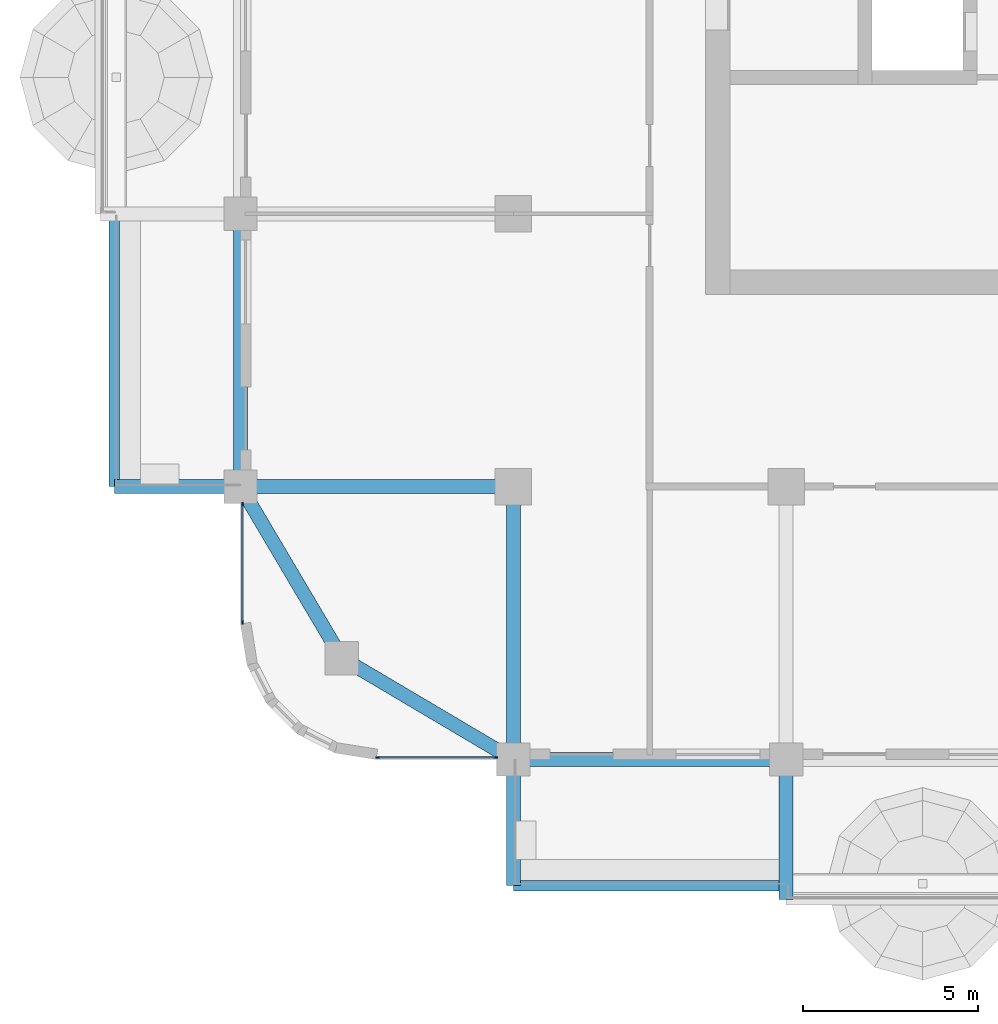
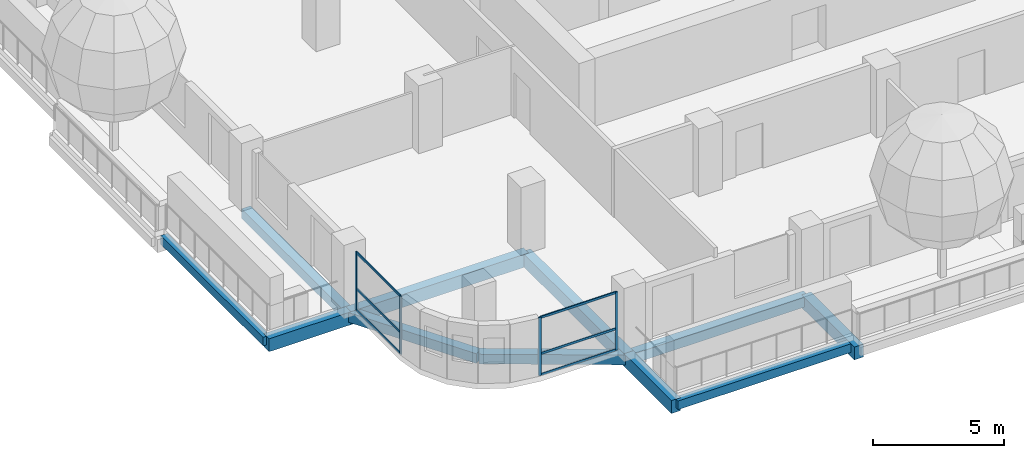
# One storey, part 2 of 21: 11 beams, 10 members, 2 elements without a shape of their own.
"""IFC4 building model written with IfcOpenShell, lengths in metres."""

from ifc_helpers import new_model, si_unit, direction, frame, origin, origin_2d, place, context, subcontext, project, spatial, rectangle, extrude, material, material_profile, profile_set, type_object, element, aggregate, save


model = new_model("IFC4")

# Units and contexts
model_context = context("Model", 3, precision=1e-05, world=origin(), true_north=direction((0.0, 1.0)))
body_context = subcontext(model_context, "Body", "Model", "MODEL_VIEW")
ifc_project = project(units=[si_unit("LENGTHUNIT", "METRE"), si_unit("AREAUNIT", "SQUARE_METRE"), si_unit("VOLUMEUNIT", "CUBIC_METRE"), si_unit("PLANEANGLEUNIT", "RADIAN"), si_unit("MASSUNIT", "GRAM", prefix="KILO")], contexts=[model_context])

# Site, building, storey
site_placement = place(None, origin())
site = spatial("IfcSite", under=ifc_project, at=site_placement, CompositionType="ELEMENT")
building_placement = place(site_placement, origin())
building = spatial("IfcBuilding", under=site, at=building_placement, Name="Ludao Terraces", CompositionType="ELEMENT")
storey_placement = place(building_placement, frame((0.0, 0.0, 71.60009765625)))
storey = spatial("IfcBuildingStorey", under=building, at=storey_placement, Name="L19", CompositionType="ELEMENT", Elevation=71.60009765625)

# Curtain wall, members
ifc_material_1 = material(Name="Aluminium curtain wall with fritted glass", Category="aluminium")
curtain_wall_type = type_object("IfcCurtainWallType", Name="ENV CW3 community glazing", PredefinedType="NOTDEFINED", material=ifc_material_1)
curtain_wall_1_placement = place(storey_placement, origin())
curtain_wall_1 = element("IfcCurtainWall", 1, at=curtain_wall_1_placement, inside=storey, type_object=curtain_wall_type, Name="Community floor glazing L19 S1", PredefinedType="NOTDEFINED")
ifc_material_2 = material(Name="Aluminium 6063-T6", Category="aluminium")
ifc_material_profile_1 = material_profile(ifc_material_2, rectangle(XDim=0.050048828125, YDim=0.1201171875, at=origin_2d()), Name="50 X 120")
ifc_profile_set_1 = profile_set([ifc_material_profile_1], Name="Aluminium 6063-T6")
member_type_1 = type_object("IfcMemberType", Name="ENV CW3 mullion 50x120", PredefinedType="MULLION", material=ifc_profile_set_1)
member_1_placement = place(storey_placement, frame((65.52490234375, 41.659912109375, 0.0), z_axis=(0.0, 0.0, 1.0), x_axis=(0.0, 1.0, 0.0)))
member_1 = element("IfcMember", 2, at=member_1_placement, type_object=member_type_1, Name="CW3 mullion 1", PredefinedType="MULLION", context=body_context, shape_type="SweptSolid", body=[
    extrude(rectangle(XDim=0.050048828125, YDim=0.1201171875, at=origin_2d()), origin(), (0.0, 0.0, 1.0), 2.699951171875),
])
member_2_placement = place(storey_placement, frame((68.89990234375, 41.659912109375, 0.0), z_axis=(0.0, 0.0, 1.0), x_axis=(0.0, 1.0, 0.0)))
member_2 = element("IfcMember", 3, at=member_2_placement, type_object=member_type_1, Name="CW3 mullion 2", PredefinedType="MULLION", context=body_context, shape_type="SweptSolid", body=[
    extrude(rectangle(XDim=0.050048828125, YDim=0.1201171875, at=origin_2d()), origin(), (0.0, 0.0, 1.0), 2.699951171875),
])

curtain_wall_2_placement = place(storey_placement, origin())
curtain_wall_2 = element("IfcCurtainWall", 4, at=curtain_wall_2_placement, inside=storey, type_object=curtain_wall_type, Name="Community floor glazing L19 W1", PredefinedType="NOTDEFINED")
member_3_placement = place(storey_placement, frame((61.659912109375, 45.52490234375, 0.0), z_axis=(0.0, 0.0, 1.0), x_axis=(-1.0, 0.0, 0.0)))
member_3 = element("IfcMember", 5, at=member_3_placement, type_object=member_type_1, Name="CW3 mullion 1", PredefinedType="MULLION", context=body_context, shape_type="SweptSolid", body=[
    extrude(rectangle(XDim=0.050048828125, YDim=0.1201171875, at=origin_2d()), origin(), (0.0, 0.0, 1.0), 2.699951171875),
])
member_4_placement = place(storey_placement, frame((61.659912109375, 48.89990234375, 0.0), z_axis=(0.0, 0.0, 1.0), x_axis=(-1.0, 0.0, 0.0)))
member_4 = element("IfcMember", 6, at=member_4_placement, type_object=member_type_1, Name="CW3 mullion 2", PredefinedType="MULLION", context=body_context, shape_type="SweptSolid", body=[
    extrude(rectangle(XDim=0.050048828125, YDim=0.1201171875, at=origin_2d()), origin(), (0.0, 0.0, 1.0), 2.699951171875),
])

# Member
ifc_material_profile_2 = material_profile(ifc_material_2, rectangle(XDim=0.050048828125, YDim=0.10009765625, at=origin_2d()), Name="50 X 100")
ifc_profile_set_2 = profile_set([ifc_material_profile_2], Name="Aluminium 6063-T6")
member_type_2 = type_object("IfcMemberType", Name="ENV CW3 transom 50x100", PredefinedType="USERDEFINED", material=ifc_profile_set_2)
member_5_placement = place(storey_placement, frame((65.550048828125, 41.659912109375, 0.02490234375), z_axis=(1.0, 0.0, 0.0), x_axis=(0.0, 1.0, 0.0)))
member_5 = element("IfcMember", 7, at=member_5_placement, type_object=member_type_2, Name="CW3 transom 1.1", ObjectType="TRANSOM", PredefinedType="USERDEFINED", context=body_context, shape_type="SweptSolid", body=[
    extrude(rectangle(XDim=0.050048828125, YDim=0.10009765625, at=origin_2d()), origin(), (0.0, 0.0, 1.0), 3.324951171875),
])

member_6_placement = place(storey_placement, frame((65.550048828125, 41.659912109375, 1.0), z_axis=(1.0, 0.0, 0.0), x_axis=(0.0, 1.0, 0.0)))
member_6 = element("IfcMember", 8, at=member_6_placement, type_object=member_type_2, Name="CW3 transom 1.2", ObjectType="TRANSOM", PredefinedType="USERDEFINED", context=body_context, shape_type="SweptSolid", body=[
    extrude(rectangle(XDim=0.050048828125, YDim=0.10009765625, at=origin_2d()), origin(), (0.0, 0.0, 1.0), 3.324951171875),
])

member_7_placement = place(storey_placement, frame((65.550048828125, 41.659912109375, 2.6748046875), z_axis=(1.0, 0.0, 0.0), x_axis=(0.0, 1.0, 0.0)))
member_7 = element("IfcMember", 9, at=member_7_placement, type_object=member_type_2, Name="CW3 transom 1.3", ObjectType="TRANSOM", PredefinedType="USERDEFINED", context=body_context, shape_type="SweptSolid", body=[
    extrude(rectangle(XDim=0.050048828125, YDim=0.10009765625, at=origin_2d()), origin(), (0.0, 0.0, 1.0), 3.324951171875),
])

aggregate(curtain_wall_1, [member_1, member_2, member_5, member_6, member_7])

member_8_placement = place(storey_placement, frame((61.659912109375, 45.550048828125, 0.02490234375), z_axis=(0.0, 1.0, 0.0), x_axis=(-1.0, 0.0, 0.0)))
member_8 = element("IfcMember", 10, at=member_8_placement, type_object=member_type_2, Name="CW3 transom 1.1", ObjectType="TRANSOM", PredefinedType="USERDEFINED", context=body_context, shape_type="SweptSolid", body=[
    extrude(rectangle(XDim=0.050048828125, YDim=0.10009765625, at=origin_2d()), origin(), (0.0, 0.0, 1.0), 3.324951171875),
])

member_9_placement = place(storey_placement, frame((61.659912109375, 45.550048828125, 1.0), z_axis=(0.0, 1.0, 0.0), x_axis=(-1.0, 0.0, 0.0)))
member_9 = element("IfcMember", 11, at=member_9_placement, type_object=member_type_2, Name="CW3 transom 1.2", ObjectType="TRANSOM", PredefinedType="USERDEFINED", context=body_context, shape_type="SweptSolid", body=[
    extrude(rectangle(XDim=0.050048828125, YDim=0.10009765625, at=origin_2d()), origin(), (0.0, 0.0, 1.0), 3.324951171875),
])

member_10_placement = place(storey_placement, frame((61.659912109375, 45.550048828125, 2.6748046875), z_axis=(0.0, 1.0, 0.0), x_axis=(-1.0, 0.0, 0.0)))
member_10 = element("IfcMember", 12, at=member_10_placement, type_object=member_type_2, Name="CW3 transom 1.3", ObjectType="TRANSOM", PredefinedType="USERDEFINED", context=body_context, shape_type="SweptSolid", body=[
    extrude(rectangle(XDim=0.050048828125, YDim=0.10009765625, at=origin_2d()), origin(), (0.0, 0.0, 1.0), 3.324951171875),
])

aggregate(curtain_wall_2, [member_3, member_4, member_8, member_9, member_10])

# Beams
ifc_material_3 = material(Name="Concrete C40", Category="concrete")
ifc_material_profile_3 = material_profile(ifc_material_3, rectangle(XDim=0.300048828125, YDim=0.39990234375, at=origin_2d()), Name="300 X 400")
ifc_profile_set_3 = profile_set([ifc_material_profile_3], Name="Concrete C40")
beam_type_1 = type_object("IfcBeamType", Name="RC beam 300x400 C40", PredefinedType="BEAM", material=ifc_profile_set_3)
for number, where, z_axis, x_axis, name in (
    (13, (69.39990234375, 38.0, -0.4501953125), (1.0, 0.0, 0.0), (0.0, 1.0, 0.0), "Balcony edge beam L19 S1"),
    (14, (58.0, 49.39990234375, -0.4501953125), (0.0, 1.0, 0.0), (-1.0, 0.0, 0.0), "Balcony edge beam L19 W1"),
):
    element("IfcBeam", number, at=place(storey_placement, frame(where, z_axis=z_axis, x_axis=x_axis)), inside=storey, type_object=beam_type_1, Name=name, PredefinedType="BEAM", context=body_context, shape_type="SweptSolid", body=[
        extrude(rectangle(XDim=0.300048828125, YDim=0.39990234375, at=origin_2d()), origin(), (0.0, 0.0, 1.0), 7.800048828125),
    ])
ifc_material_profile_4 = material_profile(ifc_material_3, rectangle(XDim=0.39990234375, YDim=0.449951171875, at=origin_2d()), Name="400 X 450")
ifc_profile_set_4 = profile_set([ifc_material_profile_4], Name="Concrete C40")
beam_type_2 = type_object("IfcBeamType", Name="RC beam 400x450 C40", PredefinedType="BEAM", material=ifc_profile_set_4)
beam_1_placement = place(storey_placement, frame((64.5, 44.5, -0.47509765625), z_axis=(0.860579751256, -0.509315709288, 0.0), x_axis=(0.509315709288, 0.860579751256, 0.0)))
element("IfcBeam", 15, at=beam_1_placement, inside=storey, type_object=beam_type_2, Name="Spandrel beam L19 S1", PredefinedType="BEAM", context=body_context, shape_type="SweptSolid", body=[
    extrude(rectangle(XDim=0.39990234375, YDim=0.449951171875, at=origin_2d()), origin(), (0.0, 0.0, 1.0), 5.693603515625),
])
beam_2_placement = place(storey_placement, frame((69.39990234375, 41.60009765625, -0.47509765625), z_axis=(1.0, 0.0, 0.0), x_axis=(0.0, 1.0, 0.0)))
element("IfcBeam", 16, at=beam_2_placement, inside=storey, type_object=beam_type_2, Name="Spandrel beam L19 S2", PredefinedType="BEAM", context=body_context, shape_type="SweptSolid", body=[
    extrude(rectangle(XDim=0.39990234375, YDim=0.449951171875, at=origin_2d()), origin(), (0.0, 0.0, 1.0), 7.800048828125),
])
beam_3_placement = place(storey_placement, frame((64.5, 44.5, -0.47509765625), z_axis=(-0.509315709288, 0.860579751256, 0.0), x_axis=(-0.860579751256, -0.509315709288, 0.0)))
element("IfcBeam", 17, at=beam_3_placement, inside=storey, type_object=beam_type_2, Name="Spandrel beam L19 W13", PredefinedType="BEAM", context=body_context, shape_type="SweptSolid", body=[
    extrude(rectangle(XDim=0.39990234375, YDim=0.449951171875, at=origin_2d()), origin(), (0.0, 0.0, 1.0), 5.693603515625),
])
beam_4_placement = place(storey_placement, frame((61.60009765625, 49.39990234375, -0.47509765625), z_axis=(0.0, 1.0, 0.0), x_axis=(-1.0, 0.0, 0.0)))
element("IfcBeam", 18, at=beam_4_placement, inside=storey, type_object=beam_type_2, Name="Spandrel beam L19 W14", PredefinedType="BEAM", context=body_context, shape_type="SweptSolid", body=[
    extrude(rectangle(XDim=0.39990234375, YDim=0.449951171875, at=origin_2d()), origin(), (0.0, 0.0, 1.0), 7.800048828125),
])
ifc_material_profile_5 = material_profile(ifc_material_3, rectangle(XDim=0.39990234375, YDim=0.60009765625, at=origin_2d()), Name="400 X 600")
ifc_profile_set_5 = profile_set([ifc_material_profile_5], Name="Concrete C40")
beam_type_3 = type_object("IfcBeamType", Name="RC beam 400x600 C40", PredefinedType="BEAM", material=ifc_profile_set_5)
beam_5_placement = place(storey_placement, frame((69.39990234375, 49.39990234375, -0.550048828125), z_axis=(0.0, -1.0, 0.0), x_axis=(1.0, 0.0, 0.0)))
element("IfcBeam", 19, at=beam_5_placement, inside=storey, type_object=beam_type_3, Name="Balcony beam L19 S694", PredefinedType="BEAM", context=body_context, shape_type="SweptSolid", body=[
    extrude(rectangle(XDim=0.39990234375, YDim=0.60009765625, at=origin_2d()), origin(), (0.0, 0.0, 1.0), 7.7998046875),
])
beam_6_placement = place(storey_placement, frame((69.39990234375, 41.60009765625, -0.550048828125), z_axis=(0.0, -1.0, 0.0), x_axis=(1.0, 0.0, 0.0)))
element("IfcBeam", 20, at=beam_6_placement, inside=storey, type_object=beam_type_3, Name="Balcony beam L19 S694", PredefinedType="BEAM", context=body_context, shape_type="SweptSolid", body=[
    extrude(rectangle(XDim=0.39990234375, YDim=0.60009765625, at=origin_2d()), origin(), (0.0, 0.0, 1.0), 3.60009765625),
])
beam_7_placement = place(storey_placement, frame((77.199951171875, 41.60009765625, -0.550048828125), z_axis=(0.0, -1.0, 0.0), x_axis=(1.0, 0.0, 0.0)))
element("IfcBeam", 21, at=beam_7_placement, inside=storey, type_object=beam_type_3, Name="Balcony beam L19 S772", PredefinedType="BEAM", context=body_context, shape_type="SweptSolid", body=[
    extrude(rectangle(XDim=0.39990234375, YDim=0.60009765625, at=origin_2d()), origin(), (0.0, 0.0, 1.0), 4.0),
])
beam_8_placement = place(storey_placement, frame((69.39990234375, 49.39990234375, -0.550048828125), z_axis=(-1.0, 0.0, 0.0), x_axis=(0.0, -1.0, 0.0)))
element("IfcBeam", 22, at=beam_8_placement, inside=storey, type_object=beam_type_3, Name="Balcony beam L19 W494", PredefinedType="BEAM", context=body_context, shape_type="SweptSolid", body=[
    extrude(rectangle(XDim=0.39990234375, YDim=0.60009765625, at=origin_2d()), origin(), (0.0, 0.0, 1.0), 7.7998046875),
])
beam_9_placement = place(storey_placement, frame((61.60009765625, 49.39990234375, -0.550048828125), z_axis=(-1.0, 0.0, 0.0), x_axis=(0.0, -1.0, 0.0)))
element("IfcBeam", 23, at=beam_9_placement, inside=storey, type_object=beam_type_3, Name="Balcony beam L19 W494", PredefinedType="BEAM", context=body_context, shape_type="SweptSolid", body=[
    extrude(rectangle(XDim=0.39990234375, YDim=0.60009765625, at=origin_2d()), origin(), (0.0, 0.0, 1.0), 3.60009765625),
])

save(model, "model.ifc")
